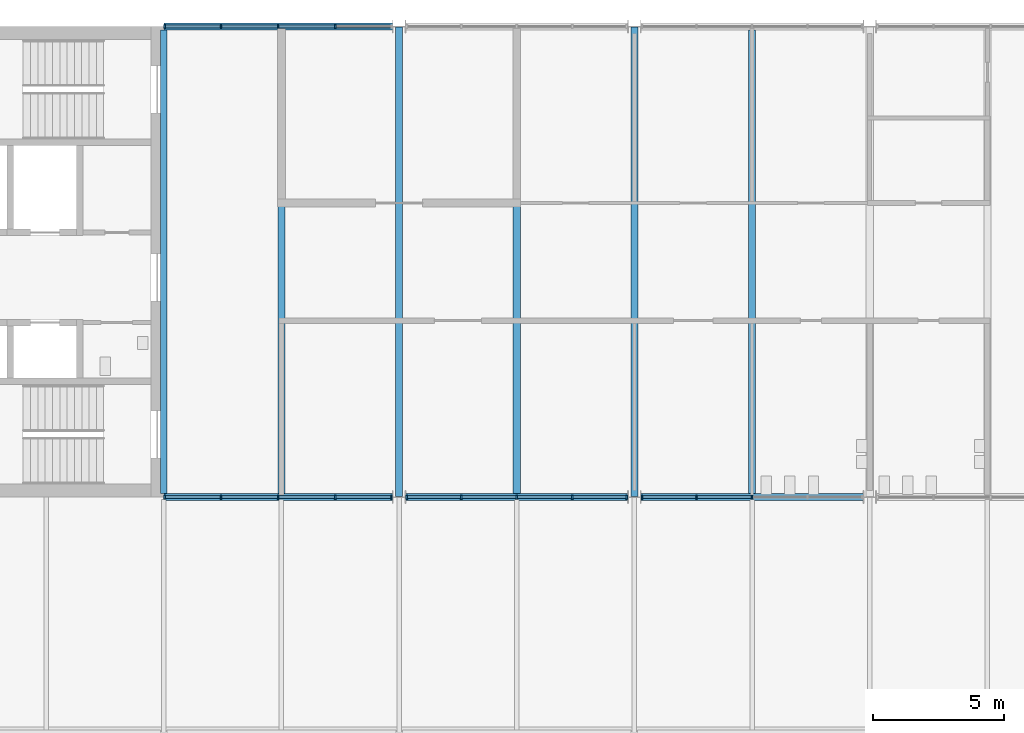
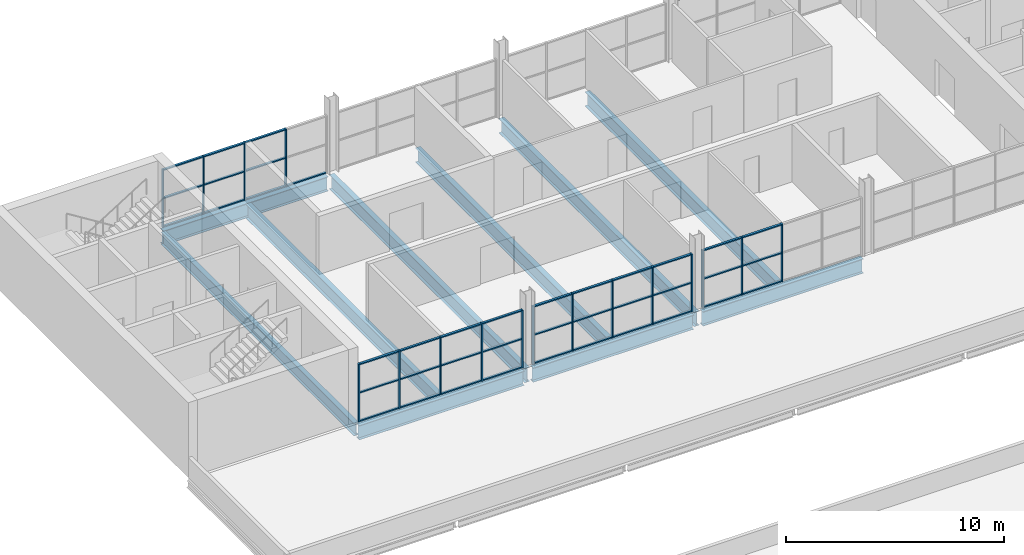
# One storey, part 15 of 50: 57 members, 10 beams, 4 elements without a shape of their own.
"""IFC4 building model written with IfcOpenShell, lengths in metres."""

from ifc_helpers import new_model, si_unit, direction, frame, origin, origin_2d, place, context, subcontext, project, spatial, rectangle, i_section, extrude, material, layer, layer_set, material_profile, profile_set, type_object, element, aggregate, save


model = new_model("IFC4")

# Units and contexts
model_context = context("Model", 3, precision=1e-05, world=origin(), true_north=direction((0.0, 1.0)))
body_context = subcontext(model_context, "Body", "Model", "MODEL_VIEW")
ifc_project = project(units=[si_unit("LENGTHUNIT", "METRE"), si_unit("AREAUNIT", "SQUARE_METRE"), si_unit("VOLUMEUNIT", "CUBIC_METRE"), si_unit("PLANEANGLEUNIT", "RADIAN"), si_unit("MASSUNIT", "GRAM", prefix="KILO")], contexts=[model_context])

# Site, building, storey
site_placement = place(None, origin())
site = spatial("IfcSite", under=ifc_project, at=site_placement, CompositionType="ELEMENT")
building_placement = place(site_placement, origin())
building = spatial("IfcBuilding", under=site, at=building_placement, Name="Corbel Yard City Hall", CompositionType="ELEMENT")
storey_placement = place(building_placement, frame((0.0, 0.0, 15.0)))
storey = spatial("IfcBuildingStorey", under=building, at=storey_placement, Name="L03", CompositionType="ELEMENT", Elevation=15.0)

# Beams
ifc_material_1 = material(Name="Steel Grade 350", Category="steel")
ifc_material_profile_1 = material_profile(ifc_material_1, i_section(OverallWidth=0.27490234375, OverallDepth=0.81005859375, WebThickness=0.010009765625, FlangeThickness=0.02490234375, at=origin_2d()), Name="800WB168")
ifc_profile_set_1 = profile_set([ifc_material_profile_1], Name="Steel Grade 350")
beam_type_1 = type_object("IfcBeamType", Name="Edge beam 800WB168", PredefinedType="BEAM", material=ifc_profile_set_1)
beam_1_placement = place(storey_placement, frame((9.0, 99.0, -0.554931640625), z_axis=(1.0, 0.0, 0.0), x_axis=(0.0, 1.0, 0.0)))
element("IfcBeam", 1, at=beam_1_placement, inside=storey, type_object=beam_type_1, Name="Edge beam 800WB168 EB3 L03tower", PredefinedType="BEAM", context=body_context, shape_type="SweptSolid", body=[
    extrude(i_section(OverallWidth=0.27490234375, OverallDepth=0.81005859375, WebThickness=0.010009765625, FlangeThickness=0.02490234375, at=origin_2d()), origin(), (0.0, 0.0, 1.0), 8.760009765625),
])
for number, where, z_axis, x_axis, name in (
    (2, (18.239990234375, 99.0, -0.554931640625), (1.0, 0.0, 0.0), (0.0, 1.0, 0.0), "Edge beam 800WB168 EB3 L03tower"),
    (3, (27.239990234375, 99.0, -0.554931640625), (1.0, 0.0, 0.0), (0.0, 1.0, 0.0), "Edge beam 800WB168 EB3 L03tower"),
):
    element("IfcBeam", number, at=place(storey_placement, frame(where, z_axis=z_axis, x_axis=x_axis)), inside=storey, type_object=beam_type_1, Name=name, PredefinedType="BEAM", context=body_context, shape_type="SweptSolid", body=[
        extrude(i_section(OverallWidth=0.27490234375, OverallDepth=0.81005859375, WebThickness=0.010009765625, FlangeThickness=0.02490234375, at=origin_2d()), origin(), (0.0, 0.0, 1.0), 8.52001953125),
    ])
beam_2_placement = place(storey_placement, frame((9.0, 117.0, -0.554931640625), z_axis=(1.0, 0.0, 0.0), x_axis=(0.0, 1.0, 0.0)))
element("IfcBeam", 4, at=beam_2_placement, inside=storey, type_object=beam_type_1, Name="Edge beam 800WB168 EB3 L03tower", PredefinedType="BEAM", context=body_context, shape_type="SweptSolid", body=[
    extrude(i_section(OverallWidth=0.27490234375, OverallDepth=0.81005859375, WebThickness=0.010009765625, FlangeThickness=0.02490234375, at=origin_2d()), origin(), (0.0, 0.0, 1.0), 8.760009765625),
])
ifc_material_profile_2 = material_profile(ifc_material_1, i_section(OverallWidth=0.27490234375, OverallDepth=0.800048828125, WebThickness=0.010009765625, FlangeThickness=0.02001953125, at=origin_2d()), Name="800WB146")
ifc_profile_set_2 = profile_set([ifc_material_profile_2], Name="Steel Grade 350")
beam_type_2 = type_object("IfcBeamType", Name="Long-span beam 800WB146", PredefinedType="BEAM", material=ifc_profile_set_2)
for number, where, z_axis, x_axis, name in (
    (5, (18.0, 99.02001953125, -0.550048828125), (0.0, 1.0, 0.0), (-1.0, 0.0, 0.0), "Long-span beam 800WB146 SB8 L03tower"),
    (6, (27.0, 99.02001953125, -0.550048828125), (0.0, 1.0, 0.0), (-1.0, 0.0, 0.0), "Long-span beam 800WB146 SB8 L03tower"),
):
    element("IfcBeam", number, at=place(storey_placement, frame(where, z_axis=z_axis, x_axis=x_axis)), inside=storey, type_object=beam_type_2, Name=name, PredefinedType="BEAM", context=body_context, shape_type="SweptSolid", body=[
        extrude(i_section(OverallWidth=0.27490234375, OverallDepth=0.800048828125, WebThickness=0.010009765625, FlangeThickness=0.02001953125, at=origin_2d()), origin(), (0.0, 0.0, 1.0), 17.9599609375),
    ])
ifc_material_profile_3 = material_profile(ifc_material_1, i_section(OverallWidth=0.25, OverallDepth=0.7099609375, WebThickness=0.010009765625, FlangeThickness=0.02490234375, at=origin_2d()), Name="700WB150")
ifc_profile_set_3 = profile_set([ifc_material_profile_3], Name="Steel Grade 350")
beam_type_3 = type_object("IfcBeamType", Name="Long-span edge beam 700WB150", PredefinedType="BEAM", material=ifc_profile_set_3)
beam_3_placement = place(storey_placement, frame((9.0, 99.137451171875, -0.5048828125), z_axis=(0.0, 1.0, 0.0), x_axis=(-1.0, 0.0, 0.0)))
element("IfcBeam", 7, at=beam_3_placement, inside=storey, type_object=beam_type_3, Name="Long-span edge beam 700WB150 EB8 L03tower", PredefinedType="BEAM", context=body_context, shape_type="SweptSolid", body=[
    extrude(i_section(OverallWidth=0.25, OverallDepth=0.7099609375, WebThickness=0.010009765625, FlangeThickness=0.02490234375, at=origin_2d()), origin(), (0.0, 0.0, 1.0), 17.72509765625),
])
ifc_material_profile_4 = material_profile(ifc_material_1, i_section(OverallWidth=0.27490234375, OverallDepth=0.800048828125, WebThickness=0.010009765625, FlangeThickness=0.02001953125, at=origin_2d()), Name="800WB146")
ifc_profile_set_4 = profile_set([ifc_material_profile_4], Name="Steel Grade 350")
beam_type_4 = type_object("IfcBeamType", Name="Long-span secondary beam 800WB146", PredefinedType="JOIST", material=ifc_profile_set_4)
for number, where, z_axis, x_axis, name in (
    (8, (13.5, 99.137451171875, -0.550048828125), (0.0, 1.0, 0.0), (-1.0, 0.0, 0.0), "Long-span secondary beam 800WB146 SB7 L03tower"),
    (9, (22.5, 99.137451171875, -0.550048828125), (0.0, 1.0, 0.0), (-1.0, 0.0, 0.0), "Long-span secondary beam 800WB146 SB7 L03tower"),
    (10, (31.5, 99.137451171875, -0.550048828125), (0.0, 1.0, 0.0), (-1.0, 0.0, 0.0), "Long-span secondary beam 800WB146 SB7 L03tower"),
):
    element("IfcBeam", number, at=place(storey_placement, frame(where, z_axis=z_axis, x_axis=x_axis)), inside=storey, type_object=beam_type_4, Name=name, PredefinedType="JOIST", context=body_context, shape_type="SweptSolid", body=[
        extrude(i_section(OverallWidth=0.27490234375, OverallDepth=0.800048828125, WebThickness=0.010009765625, FlangeThickness=0.02001953125, at=origin_2d()), origin(), (0.0, 0.0, 1.0), 17.72509765625),
    ])

# Curtain wall, members
ifc_material_2 = material(Name="Aluminium extrusion", Category="aluminium")
ifc_layer = layer(ifc_material_2, 0.14990234375)
ifc_layer_set = layer_set([ifc_layer], Name="Aluminium extrusion")
curtain_wall_type = type_object("IfcCurtainWallType", Name="CW2", PredefinedType="USERDEFINED", material=ifc_layer_set)
curtain_wall_1_placement = place(storey_placement, origin())
curtain_wall_1 = element("IfcCurtainWall", 11, at=curtain_wall_1_placement, inside=storey, type_object=curtain_wall_type, Name="Curtain wall CW2 L03", ObjectType="CURTAIN WALL", PredefinedType="USERDEFINED")
ifc_material_profile_5 = material_profile(ifc_material_2, rectangle(XDim=0.14990234375, YDim=0.06494140625, at=origin_2d()), Name="150x65")
ifc_profile_set_5 = profile_set([ifc_material_profile_5], Name="Aluminium extrusion")
member_type_1 = type_object("IfcMemberType", Name="ML2", PredefinedType="MULLION", material=ifc_profile_set_5)
member_1_placement = place(storey_placement, frame((9.032470703125, 99.0, 0.0), z_axis=(0.0, 0.0, 1.0), x_axis=(0.0, 1.0, 0.0)))
member_1 = element("IfcMember", 12, at=member_1_placement, type_object=member_type_1, Name="CW2 mullion 1", PredefinedType="MULLION", context=body_context, shape_type="SweptSolid", body=[
    extrude(rectangle(XDim=0.14990234375, YDim=0.06494140625, at=origin_2d()), origin(), (0.0, 0.0, 1.0), 3.239990234375),
])
member_2_placement = place(storey_placement, frame((11.185791015625, 99.0, 0.0), z_axis=(0.0, 0.0, 1.0), x_axis=(0.0, 1.0, 0.0)))
member_2 = element("IfcMember", 13, at=member_2_placement, type_object=member_type_1, Name="CW2 mullion 2", PredefinedType="MULLION", context=body_context, shape_type="SweptSolid", body=[
    extrude(rectangle(XDim=0.14990234375, YDim=0.06494140625, at=origin_2d()), origin(), (0.0, 0.0, 1.0), 3.239990234375),
])
member_3_placement = place(storey_placement, frame((13.37158203125, 99.0, 0.0), z_axis=(0.0, 0.0, 1.0), x_axis=(0.0, 1.0, 0.0)))
member_3 = element("IfcMember", 14, at=member_3_placement, type_object=member_type_1, Name="CW2 mullion 3", PredefinedType="MULLION", context=body_context, shape_type="SweptSolid", body=[
    extrude(rectangle(XDim=0.14990234375, YDim=0.06494140625, at=origin_2d()), origin(), (0.0, 0.0, 1.0), 3.239990234375),
])
member_4_placement = place(storey_placement, frame((15.55712890625, 99.0, 0.0), z_axis=(0.0, 0.0, 1.0), x_axis=(0.0, 1.0, 0.0)))
member_4 = element("IfcMember", 15, at=member_4_placement, type_object=member_type_1, Name="CW2 mullion 4", PredefinedType="MULLION", context=body_context, shape_type="SweptSolid", body=[
    extrude(rectangle(XDim=0.14990234375, YDim=0.06494140625, at=origin_2d()), origin(), (0.0, 0.0, 1.0), 3.239990234375),
])
member_5_placement = place(storey_placement, frame((17.71044921875, 99.0, 0.0), z_axis=(0.0, 0.0, 1.0), x_axis=(0.0, 1.0, 0.0)))
member_5 = element("IfcMember", 16, at=member_5_placement, type_object=member_type_1, Name="CW2 mullion 5", PredefinedType="MULLION", context=body_context, shape_type="SweptSolid", body=[
    extrude(rectangle(XDim=0.14990234375, YDim=0.06494140625, at=origin_2d()), origin(), (0.0, 0.0, 1.0), 3.239990234375),
])

curtain_wall_2_placement = place(storey_placement, origin())
curtain_wall_2 = element("IfcCurtainWall", 17, at=curtain_wall_2_placement, inside=storey, type_object=curtain_wall_type, Name="Curtain wall CW2 L03", ObjectType="CURTAIN WALL", PredefinedType="USERDEFINED")
member_6_placement = place(storey_placement, frame((18.28955078125, 99.0, 0.0), z_axis=(0.0, 0.0, 1.0), x_axis=(0.0, 1.0, 0.0)))
member_6 = element("IfcMember", 18, at=member_6_placement, type_object=member_type_1, Name="CW2 mullion 1", PredefinedType="MULLION", context=body_context, shape_type="SweptSolid", body=[
    extrude(rectangle(XDim=0.14990234375, YDim=0.06494140625, at=origin_2d()), origin(), (0.0, 0.0, 1.0), 3.239990234375),
])
member_7_placement = place(storey_placement, frame((20.37841796875, 99.0, 0.0), z_axis=(0.0, 0.0, 1.0), x_axis=(0.0, 1.0, 0.0)))
member_7 = element("IfcMember", 19, at=member_7_placement, type_object=member_type_1, Name="CW2 mullion 2", PredefinedType="MULLION", context=body_context, shape_type="SweptSolid", body=[
    extrude(rectangle(XDim=0.14990234375, YDim=0.06494140625, at=origin_2d()), origin(), (0.0, 0.0, 1.0), 3.239990234375),
])
member_8_placement = place(storey_placement, frame((22.5, 99.0, 0.0), z_axis=(0.0, 0.0, 1.0), x_axis=(0.0, 1.0, 0.0)))
member_8 = element("IfcMember", 20, at=member_8_placement, type_object=member_type_1, Name="CW2 mullion 3", PredefinedType="MULLION", context=body_context, shape_type="SweptSolid", body=[
    extrude(rectangle(XDim=0.14990234375, YDim=0.06494140625, at=origin_2d()), origin(), (0.0, 0.0, 1.0), 3.239990234375),
])
member_9_placement = place(storey_placement, frame((24.62158203125, 99.0, 0.0), z_axis=(0.0, 0.0, 1.0), x_axis=(0.0, 1.0, 0.0)))
member_9 = element("IfcMember", 21, at=member_9_placement, type_object=member_type_1, Name="CW2 mullion 4", PredefinedType="MULLION", context=body_context, shape_type="SweptSolid", body=[
    extrude(rectangle(XDim=0.14990234375, YDim=0.06494140625, at=origin_2d()), origin(), (0.0, 0.0, 1.0), 3.239990234375),
])
member_10_placement = place(storey_placement, frame((26.71044921875, 99.0, 0.0), z_axis=(0.0, 0.0, 1.0), x_axis=(0.0, 1.0, 0.0)))
member_10 = element("IfcMember", 22, at=member_10_placement, type_object=member_type_1, Name="CW2 mullion 5", PredefinedType="MULLION", context=body_context, shape_type="SweptSolid", body=[
    extrude(rectangle(XDim=0.14990234375, YDim=0.06494140625, at=origin_2d()), origin(), (0.0, 0.0, 1.0), 3.239990234375),
])

curtain_wall_3_placement = place(storey_placement, origin())
curtain_wall_3 = element("IfcCurtainWall", 23, at=curtain_wall_3_placement, inside=storey, type_object=curtain_wall_type, Name="Curtain wall CW2 L03", ObjectType="CURTAIN WALL", PredefinedType="USERDEFINED")
member_11_placement = place(storey_placement, frame((27.28955078125, 99.0, 0.0), z_axis=(0.0, 0.0, 1.0), x_axis=(0.0, 1.0, 0.0)))
member_11 = element("IfcMember", 24, at=member_11_placement, type_object=member_type_1, Name="CW2 mullion 1", PredefinedType="MULLION", context=body_context, shape_type="SweptSolid", body=[
    extrude(rectangle(XDim=0.14990234375, YDim=0.06494140625, at=origin_2d()), origin(), (0.0, 0.0, 1.0), 3.239990234375),
])
member_12_placement = place(storey_placement, frame((29.37841796875, 99.0, 0.0), z_axis=(0.0, 0.0, 1.0), x_axis=(0.0, 1.0, 0.0)))
member_12 = element("IfcMember", 25, at=member_12_placement, type_object=member_type_1, Name="CW2 mullion 2", PredefinedType="MULLION", context=body_context, shape_type="SweptSolid", body=[
    extrude(rectangle(XDim=0.14990234375, YDim=0.06494140625, at=origin_2d()), origin(), (0.0, 0.0, 1.0), 3.239990234375),
])
member_13_placement = place(storey_placement, frame((31.5, 99.0, 0.0), z_axis=(0.0, 0.0, 1.0), x_axis=(0.0, 1.0, 0.0)))
member_13 = element("IfcMember", 26, at=member_13_placement, type_object=member_type_1, Name="CW2 mullion 3", PredefinedType="MULLION", context=body_context, shape_type="SweptSolid", body=[
    extrude(rectangle(XDim=0.14990234375, YDim=0.06494140625, at=origin_2d()), origin(), (0.0, 0.0, 1.0), 3.239990234375),
])

curtain_wall_4_placement = place(storey_placement, origin())
curtain_wall_4 = element("IfcCurtainWall", 27, at=curtain_wall_4_placement, inside=storey, type_object=curtain_wall_type, Name="Curtain wall CW2 L03", ObjectType="CURTAIN WALL", PredefinedType="USERDEFINED")
member_14_placement = place(storey_placement, frame((9.032470703125, 117.0, 0.0), z_axis=(0.0, 0.0, 1.0), x_axis=(0.0, 1.0, 0.0)))
member_14 = element("IfcMember", 28, at=member_14_placement, type_object=member_type_1, Name="CW2 mullion 1", PredefinedType="MULLION", context=body_context, shape_type="SweptSolid", body=[
    extrude(rectangle(XDim=0.14990234375, YDim=0.06494140625, at=origin_2d()), origin(), (0.0, 0.0, 1.0), 3.239990234375),
])
member_15_placement = place(storey_placement, frame((11.185791015625, 117.0, 0.0), z_axis=(0.0, 0.0, 1.0), x_axis=(0.0, 1.0, 0.0)))
member_15 = element("IfcMember", 29, at=member_15_placement, type_object=member_type_1, Name="CW2 mullion 2", PredefinedType="MULLION", context=body_context, shape_type="SweptSolid", body=[
    extrude(rectangle(XDim=0.14990234375, YDim=0.06494140625, at=origin_2d()), origin(), (0.0, 0.0, 1.0), 3.239990234375),
])
member_16_placement = place(storey_placement, frame((13.37158203125, 117.0, 0.0), z_axis=(0.0, 0.0, 1.0), x_axis=(0.0, 1.0, 0.0)))
member_16 = element("IfcMember", 30, at=member_16_placement, type_object=member_type_1, Name="CW2 mullion 3", PredefinedType="MULLION", context=body_context, shape_type="SweptSolid", body=[
    extrude(rectangle(XDim=0.14990234375, YDim=0.06494140625, at=origin_2d()), origin(), (0.0, 0.0, 1.0), 3.239990234375),
])
member_17_placement = place(storey_placement, frame((15.55712890625, 117.0, 0.0), z_axis=(0.0, 0.0, 1.0), x_axis=(0.0, 1.0, 0.0)))
member_17 = element("IfcMember", 31, at=member_17_placement, type_object=member_type_1, Name="CW2 mullion 4", PredefinedType="MULLION", context=body_context, shape_type="SweptSolid", body=[
    extrude(rectangle(XDim=0.14990234375, YDim=0.06494140625, at=origin_2d()), origin(), (0.0, 0.0, 1.0), 3.239990234375),
])

# Member
ifc_material_profile_6 = material_profile(ifc_material_2, rectangle(XDim=0.1201171875, YDim=0.06494140625, at=origin_2d()), Name="120x65")
ifc_profile_set_6 = profile_set([ifc_material_profile_6], Name="Aluminium extrusion")
member_type_2 = type_object("IfcMemberType", Name="TR2", PredefinedType="USERDEFINED", material=ifc_profile_set_6)
member_18_placement = place(storey_placement, frame((9.06494140625, 99.0, 0.032470703125), z_axis=(1.0, 0.0, 0.0), x_axis=(0.0, 1.0, 0.0)))
member_18 = element("IfcMember", 32, at=member_18_placement, type_object=member_type_2, Name="CW2 transom 1.1", ObjectType="TRANSOM", PredefinedType="USERDEFINED", context=body_context, shape_type="SweptSolid", body=[
    extrude(rectangle(XDim=0.1201171875, YDim=0.06494140625, at=origin_2d()), origin(), (0.0, 0.0, 1.0), 2.08837890625),
])

member_19_placement = place(storey_placement, frame((9.06494140625, 99.0, 1.6201171875), z_axis=(1.0, 0.0, 0.0), x_axis=(0.0, 1.0, 0.0)))
member_19 = element("IfcMember", 33, at=member_19_placement, type_object=member_type_2, Name="CW2 transom 1.2", ObjectType="TRANSOM", PredefinedType="USERDEFINED", context=body_context, shape_type="SweptSolid", body=[
    extrude(rectangle(XDim=0.1201171875, YDim=0.06494140625, at=origin_2d()), origin(), (0.0, 0.0, 1.0), 2.08837890625),
])

member_20_placement = place(storey_placement, frame((9.06494140625, 99.0, 3.20751953125), z_axis=(1.0, 0.0, 0.0), x_axis=(0.0, 1.0, 0.0)))
member_20 = element("IfcMember", 34, at=member_20_placement, type_object=member_type_2, Name="CW2 transom 1.3", ObjectType="TRANSOM", PredefinedType="USERDEFINED", context=body_context, shape_type="SweptSolid", body=[
    extrude(rectangle(XDim=0.1201171875, YDim=0.06494140625, at=origin_2d()), origin(), (0.0, 0.0, 1.0), 2.08837890625),
])

member_21_placement = place(storey_placement, frame((11.21826171875, 99.0, 0.032470703125), z_axis=(1.0, 0.0, 0.0), x_axis=(0.0, 1.0, 0.0)))
member_21 = element("IfcMember", 35, at=member_21_placement, type_object=member_type_2, Name="CW2 transom 2.1", ObjectType="TRANSOM", PredefinedType="USERDEFINED", context=body_context, shape_type="SweptSolid", body=[
    extrude(rectangle(XDim=0.1201171875, YDim=0.06494140625, at=origin_2d()), origin(), (0.0, 0.0, 1.0), 2.120849609375),
])

member_22_placement = place(storey_placement, frame((11.21826171875, 99.0, 1.6201171875), z_axis=(1.0, 0.0, 0.0), x_axis=(0.0, 1.0, 0.0)))
member_22 = element("IfcMember", 36, at=member_22_placement, type_object=member_type_2, Name="CW2 transom 2.2", ObjectType="TRANSOM", PredefinedType="USERDEFINED", context=body_context, shape_type="SweptSolid", body=[
    extrude(rectangle(XDim=0.1201171875, YDim=0.06494140625, at=origin_2d()), origin(), (0.0, 0.0, 1.0), 2.120849609375),
])

member_23_placement = place(storey_placement, frame((11.21826171875, 99.0, 3.20751953125), z_axis=(1.0, 0.0, 0.0), x_axis=(0.0, 1.0, 0.0)))
member_23 = element("IfcMember", 37, at=member_23_placement, type_object=member_type_2, Name="CW2 transom 2.3", ObjectType="TRANSOM", PredefinedType="USERDEFINED", context=body_context, shape_type="SweptSolid", body=[
    extrude(rectangle(XDim=0.1201171875, YDim=0.06494140625, at=origin_2d()), origin(), (0.0, 0.0, 1.0), 2.120849609375),
])

member_24_placement = place(storey_placement, frame((13.404052734375, 99.0, 0.032470703125), z_axis=(1.0, 0.0, 0.0), x_axis=(0.0, 1.0, 0.0)))
member_24 = element("IfcMember", 38, at=member_24_placement, type_object=member_type_2, Name="CW2 transom 3.1", ObjectType="TRANSOM", PredefinedType="USERDEFINED", context=body_context, shape_type="SweptSolid", body=[
    extrude(rectangle(XDim=0.1201171875, YDim=0.06494140625, at=origin_2d()), origin(), (0.0, 0.0, 1.0), 2.12060546875),
])

member_25_placement = place(storey_placement, frame((13.404052734375, 99.0, 1.6201171875), z_axis=(1.0, 0.0, 0.0), x_axis=(0.0, 1.0, 0.0)))
member_25 = element("IfcMember", 39, at=member_25_placement, type_object=member_type_2, Name="CW2 transom 3.2", ObjectType="TRANSOM", PredefinedType="USERDEFINED", context=body_context, shape_type="SweptSolid", body=[
    extrude(rectangle(XDim=0.1201171875, YDim=0.06494140625, at=origin_2d()), origin(), (0.0, 0.0, 1.0), 2.12060546875),
])

member_26_placement = place(storey_placement, frame((13.404052734375, 99.0, 3.20751953125), z_axis=(1.0, 0.0, 0.0), x_axis=(0.0, 1.0, 0.0)))
member_26 = element("IfcMember", 40, at=member_26_placement, type_object=member_type_2, Name="CW2 transom 3.3", ObjectType="TRANSOM", PredefinedType="USERDEFINED", context=body_context, shape_type="SweptSolid", body=[
    extrude(rectangle(XDim=0.1201171875, YDim=0.06494140625, at=origin_2d()), origin(), (0.0, 0.0, 1.0), 2.12060546875),
])

member_27_placement = place(storey_placement, frame((15.58984375, 99.0, 0.032470703125), z_axis=(1.0, 0.0, 0.0), x_axis=(0.0, 1.0, 0.0)))
member_27 = element("IfcMember", 41, at=member_27_placement, type_object=member_type_2, Name="CW2 transom 4.1", ObjectType="TRANSOM", PredefinedType="USERDEFINED", context=body_context, shape_type="SweptSolid", body=[
    extrude(rectangle(XDim=0.1201171875, YDim=0.06494140625, at=origin_2d()), origin(), (0.0, 0.0, 1.0), 2.088134765625),
])

member_28_placement = place(storey_placement, frame((15.58984375, 99.0, 1.6201171875), z_axis=(1.0, 0.0, 0.0), x_axis=(0.0, 1.0, 0.0)))
member_28 = element("IfcMember", 42, at=member_28_placement, type_object=member_type_2, Name="CW2 transom 4.2", ObjectType="TRANSOM", PredefinedType="USERDEFINED", context=body_context, shape_type="SweptSolid", body=[
    extrude(rectangle(XDim=0.1201171875, YDim=0.06494140625, at=origin_2d()), origin(), (0.0, 0.0, 1.0), 2.088134765625),
])

member_29_placement = place(storey_placement, frame((15.58984375, 99.0, 3.20751953125), z_axis=(1.0, 0.0, 0.0), x_axis=(0.0, 1.0, 0.0)))
member_29 = element("IfcMember", 43, at=member_29_placement, type_object=member_type_2, Name="CW2 transom 4.3", ObjectType="TRANSOM", PredefinedType="USERDEFINED", context=body_context, shape_type="SweptSolid", body=[
    extrude(rectangle(XDim=0.1201171875, YDim=0.06494140625, at=origin_2d()), origin(), (0.0, 0.0, 1.0), 2.088134765625),
])

aggregate(curtain_wall_1, [member_1, member_2, member_3, member_4, member_5, member_18, member_19, member_20, member_21, member_22, member_23, member_24, member_25, member_26, member_27, member_28, member_29])

member_30_placement = place(storey_placement, frame((18.322021484375, 99.0, 0.032470703125), z_axis=(1.0, 0.0, 0.0), x_axis=(0.0, 1.0, 0.0)))
member_30 = element("IfcMember", 44, at=member_30_placement, type_object=member_type_2, Name="CW2 transom 1.1", ObjectType="TRANSOM", PredefinedType="USERDEFINED", context=body_context, shape_type="SweptSolid", body=[
    extrude(rectangle(XDim=0.1201171875, YDim=0.06494140625, at=origin_2d()), origin(), (0.0, 0.0, 1.0), 2.02392578125),
])

member_31_placement = place(storey_placement, frame((18.322021484375, 99.0, 1.6201171875), z_axis=(1.0, 0.0, 0.0), x_axis=(0.0, 1.0, 0.0)))
member_31 = element("IfcMember", 45, at=member_31_placement, type_object=member_type_2, Name="CW2 transom 1.2", ObjectType="TRANSOM", PredefinedType="USERDEFINED", context=body_context, shape_type="SweptSolid", body=[
    extrude(rectangle(XDim=0.1201171875, YDim=0.06494140625, at=origin_2d()), origin(), (0.0, 0.0, 1.0), 2.02392578125),
])

member_32_placement = place(storey_placement, frame((18.322021484375, 99.0, 3.20751953125), z_axis=(1.0, 0.0, 0.0), x_axis=(0.0, 1.0, 0.0)))
member_32 = element("IfcMember", 46, at=member_32_placement, type_object=member_type_2, Name="CW2 transom 1.3", ObjectType="TRANSOM", PredefinedType="USERDEFINED", context=body_context, shape_type="SweptSolid", body=[
    extrude(rectangle(XDim=0.1201171875, YDim=0.06494140625, at=origin_2d()), origin(), (0.0, 0.0, 1.0), 2.02392578125),
])

member_33_placement = place(storey_placement, frame((20.410888671875, 99.0, 0.032470703125), z_axis=(1.0, 0.0, 0.0), x_axis=(0.0, 1.0, 0.0)))
member_33 = element("IfcMember", 47, at=member_33_placement, type_object=member_type_2, Name="CW2 transom 2.1", ObjectType="TRANSOM", PredefinedType="USERDEFINED", context=body_context, shape_type="SweptSolid", body=[
    extrude(rectangle(XDim=0.1201171875, YDim=0.06494140625, at=origin_2d()), origin(), (0.0, 0.0, 1.0), 2.056640625),
])

member_34_placement = place(storey_placement, frame((20.410888671875, 99.0, 1.6201171875), z_axis=(1.0, 0.0, 0.0), x_axis=(0.0, 1.0, 0.0)))
member_34 = element("IfcMember", 48, at=member_34_placement, type_object=member_type_2, Name="CW2 transom 2.2", ObjectType="TRANSOM", PredefinedType="USERDEFINED", context=body_context, shape_type="SweptSolid", body=[
    extrude(rectangle(XDim=0.1201171875, YDim=0.06494140625, at=origin_2d()), origin(), (0.0, 0.0, 1.0), 2.056640625),
])

member_35_placement = place(storey_placement, frame((20.410888671875, 99.0, 3.20751953125), z_axis=(1.0, 0.0, 0.0), x_axis=(0.0, 1.0, 0.0)))
member_35 = element("IfcMember", 49, at=member_35_placement, type_object=member_type_2, Name="CW2 transom 2.3", ObjectType="TRANSOM", PredefinedType="USERDEFINED", context=body_context, shape_type="SweptSolid", body=[
    extrude(rectangle(XDim=0.1201171875, YDim=0.06494140625, at=origin_2d()), origin(), (0.0, 0.0, 1.0), 2.056640625),
])

member_36_placement = place(storey_placement, frame((22.532470703125, 99.0, 0.032470703125), z_axis=(1.0, 0.0, 0.0), x_axis=(0.0, 1.0, 0.0)))
member_36 = element("IfcMember", 50, at=member_36_placement, type_object=member_type_2, Name="CW2 transom 3.1", ObjectType="TRANSOM", PredefinedType="USERDEFINED", context=body_context, shape_type="SweptSolid", body=[
    extrude(rectangle(XDim=0.1201171875, YDim=0.06494140625, at=origin_2d()), origin(), (0.0, 0.0, 1.0), 2.056640625),
])

member_37_placement = place(storey_placement, frame((22.532470703125, 99.0, 1.6201171875), z_axis=(1.0, 0.0, 0.0), x_axis=(0.0, 1.0, 0.0)))
member_37 = element("IfcMember", 51, at=member_37_placement, type_object=member_type_2, Name="CW2 transom 3.2", ObjectType="TRANSOM", PredefinedType="USERDEFINED", context=body_context, shape_type="SweptSolid", body=[
    extrude(rectangle(XDim=0.1201171875, YDim=0.06494140625, at=origin_2d()), origin(), (0.0, 0.0, 1.0), 2.056640625),
])

member_38_placement = place(storey_placement, frame((22.532470703125, 99.0, 3.20751953125), z_axis=(1.0, 0.0, 0.0), x_axis=(0.0, 1.0, 0.0)))
member_38 = element("IfcMember", 52, at=member_38_placement, type_object=member_type_2, Name="CW2 transom 3.3", ObjectType="TRANSOM", PredefinedType="USERDEFINED", context=body_context, shape_type="SweptSolid", body=[
    extrude(rectangle(XDim=0.1201171875, YDim=0.06494140625, at=origin_2d()), origin(), (0.0, 0.0, 1.0), 2.056640625),
])

member_39_placement = place(storey_placement, frame((24.654052734375, 99.0, 0.032470703125), z_axis=(1.0, 0.0, 0.0), x_axis=(0.0, 1.0, 0.0)))
member_39 = element("IfcMember", 53, at=member_39_placement, type_object=member_type_2, Name="CW2 transom 4.1", ObjectType="TRANSOM", PredefinedType="USERDEFINED", context=body_context, shape_type="SweptSolid", body=[
    extrude(rectangle(XDim=0.1201171875, YDim=0.06494140625, at=origin_2d()), origin(), (0.0, 0.0, 1.0), 2.02392578125),
])

member_40_placement = place(storey_placement, frame((24.654052734375, 99.0, 1.6201171875), z_axis=(1.0, 0.0, 0.0), x_axis=(0.0, 1.0, 0.0)))
member_40 = element("IfcMember", 54, at=member_40_placement, type_object=member_type_2, Name="CW2 transom 4.2", ObjectType="TRANSOM", PredefinedType="USERDEFINED", context=body_context, shape_type="SweptSolid", body=[
    extrude(rectangle(XDim=0.1201171875, YDim=0.06494140625, at=origin_2d()), origin(), (0.0, 0.0, 1.0), 2.02392578125),
])

member_41_placement = place(storey_placement, frame((24.654052734375, 99.0, 3.20751953125), z_axis=(1.0, 0.0, 0.0), x_axis=(0.0, 1.0, 0.0)))
member_41 = element("IfcMember", 55, at=member_41_placement, type_object=member_type_2, Name="CW2 transom 4.3", ObjectType="TRANSOM", PredefinedType="USERDEFINED", context=body_context, shape_type="SweptSolid", body=[
    extrude(rectangle(XDim=0.1201171875, YDim=0.06494140625, at=origin_2d()), origin(), (0.0, 0.0, 1.0), 2.02392578125),
])

aggregate(curtain_wall_2, [member_6, member_7, member_8, member_9, member_10, member_30, member_31, member_32, member_33, member_34, member_35, member_36, member_37, member_38, member_39, member_40, member_41])

member_42_placement = place(storey_placement, frame((27.322021484375, 99.0, 0.032470703125), z_axis=(1.0, 0.0, 0.0), x_axis=(0.0, 1.0, 0.0)))
member_42 = element("IfcMember", 56, at=member_42_placement, type_object=member_type_2, Name="CW2 transom 1.1", ObjectType="TRANSOM", PredefinedType="USERDEFINED", context=body_context, shape_type="SweptSolid", body=[
    extrude(rectangle(XDim=0.1201171875, YDim=0.06494140625, at=origin_2d()), origin(), (0.0, 0.0, 1.0), 2.02392578125),
])

member_43_placement = place(storey_placement, frame((27.322021484375, 99.0, 1.6201171875), z_axis=(1.0, 0.0, 0.0), x_axis=(0.0, 1.0, 0.0)))
member_43 = element("IfcMember", 57, at=member_43_placement, type_object=member_type_2, Name="CW2 transom 1.2", ObjectType="TRANSOM", PredefinedType="USERDEFINED", context=body_context, shape_type="SweptSolid", body=[
    extrude(rectangle(XDim=0.1201171875, YDim=0.06494140625, at=origin_2d()), origin(), (0.0, 0.0, 1.0), 2.02392578125),
])

member_44_placement = place(storey_placement, frame((27.322021484375, 99.0, 3.20751953125), z_axis=(1.0, 0.0, 0.0), x_axis=(0.0, 1.0, 0.0)))
member_44 = element("IfcMember", 58, at=member_44_placement, type_object=member_type_2, Name="CW2 transom 1.3", ObjectType="TRANSOM", PredefinedType="USERDEFINED", context=body_context, shape_type="SweptSolid", body=[
    extrude(rectangle(XDim=0.1201171875, YDim=0.06494140625, at=origin_2d()), origin(), (0.0, 0.0, 1.0), 2.02392578125),
])

member_45_placement = place(storey_placement, frame((29.410888671875, 99.0, 0.032470703125), z_axis=(1.0, 0.0, 0.0), x_axis=(0.0, 1.0, 0.0)))
member_45 = element("IfcMember", 59, at=member_45_placement, type_object=member_type_2, Name="CW2 transom 2.1", ObjectType="TRANSOM", PredefinedType="USERDEFINED", context=body_context, shape_type="SweptSolid", body=[
    extrude(rectangle(XDim=0.1201171875, YDim=0.06494140625, at=origin_2d()), origin(), (0.0, 0.0, 1.0), 2.056640625),
])

member_46_placement = place(storey_placement, frame((29.410888671875, 99.0, 1.6201171875), z_axis=(1.0, 0.0, 0.0), x_axis=(0.0, 1.0, 0.0)))
member_46 = element("IfcMember", 60, at=member_46_placement, type_object=member_type_2, Name="CW2 transom 2.2", ObjectType="TRANSOM", PredefinedType="USERDEFINED", context=body_context, shape_type="SweptSolid", body=[
    extrude(rectangle(XDim=0.1201171875, YDim=0.06494140625, at=origin_2d()), origin(), (0.0, 0.0, 1.0), 2.056640625),
])

member_47_placement = place(storey_placement, frame((29.410888671875, 99.0, 3.20751953125), z_axis=(1.0, 0.0, 0.0), x_axis=(0.0, 1.0, 0.0)))
member_47 = element("IfcMember", 61, at=member_47_placement, type_object=member_type_2, Name="CW2 transom 2.3", ObjectType="TRANSOM", PredefinedType="USERDEFINED", context=body_context, shape_type="SweptSolid", body=[
    extrude(rectangle(XDim=0.1201171875, YDim=0.06494140625, at=origin_2d()), origin(), (0.0, 0.0, 1.0), 2.056640625),
])

aggregate(curtain_wall_3, [member_11, member_12, member_13, member_42, member_43, member_44, member_45, member_46, member_47])

member_48_placement = place(storey_placement, frame((9.06494140625, 117.0, 0.032470703125), z_axis=(1.0, 0.0, 0.0), x_axis=(0.0, 1.0, 0.0)))
member_48 = element("IfcMember", 62, at=member_48_placement, type_object=member_type_2, Name="CW2 transom 1.1", ObjectType="TRANSOM", PredefinedType="USERDEFINED", context=body_context, shape_type="SweptSolid", body=[
    extrude(rectangle(XDim=0.1201171875, YDim=0.06494140625, at=origin_2d()), origin(), (0.0, 0.0, 1.0), 2.08837890625),
])

member_49_placement = place(storey_placement, frame((9.06494140625, 117.0, 1.6201171875), z_axis=(1.0, 0.0, 0.0), x_axis=(0.0, 1.0, 0.0)))
member_49 = element("IfcMember", 63, at=member_49_placement, type_object=member_type_2, Name="CW2 transom 1.2", ObjectType="TRANSOM", PredefinedType="USERDEFINED", context=body_context, shape_type="SweptSolid", body=[
    extrude(rectangle(XDim=0.1201171875, YDim=0.06494140625, at=origin_2d()), origin(), (0.0, 0.0, 1.0), 2.08837890625),
])

member_50_placement = place(storey_placement, frame((9.06494140625, 117.0, 3.20751953125), z_axis=(1.0, 0.0, 0.0), x_axis=(0.0, 1.0, 0.0)))
member_50 = element("IfcMember", 64, at=member_50_placement, type_object=member_type_2, Name="CW2 transom 1.3", ObjectType="TRANSOM", PredefinedType="USERDEFINED", context=body_context, shape_type="SweptSolid", body=[
    extrude(rectangle(XDim=0.1201171875, YDim=0.06494140625, at=origin_2d()), origin(), (0.0, 0.0, 1.0), 2.08837890625),
])

member_51_placement = place(storey_placement, frame((11.21826171875, 117.0, 0.032470703125), z_axis=(1.0, 0.0, 0.0), x_axis=(0.0, 1.0, 0.0)))
member_51 = element("IfcMember", 65, at=member_51_placement, type_object=member_type_2, Name="CW2 transom 2.1", ObjectType="TRANSOM", PredefinedType="USERDEFINED", context=body_context, shape_type="SweptSolid", body=[
    extrude(rectangle(XDim=0.1201171875, YDim=0.06494140625, at=origin_2d()), origin(), (0.0, 0.0, 1.0), 2.120849609375),
])

member_52_placement = place(storey_placement, frame((11.21826171875, 117.0, 1.6201171875), z_axis=(1.0, 0.0, 0.0), x_axis=(0.0, 1.0, 0.0)))
member_52 = element("IfcMember", 66, at=member_52_placement, type_object=member_type_2, Name="CW2 transom 2.2", ObjectType="TRANSOM", PredefinedType="USERDEFINED", context=body_context, shape_type="SweptSolid", body=[
    extrude(rectangle(XDim=0.1201171875, YDim=0.06494140625, at=origin_2d()), origin(), (0.0, 0.0, 1.0), 2.120849609375),
])

member_53_placement = place(storey_placement, frame((11.21826171875, 117.0, 3.20751953125), z_axis=(1.0, 0.0, 0.0), x_axis=(0.0, 1.0, 0.0)))
member_53 = element("IfcMember", 67, at=member_53_placement, type_object=member_type_2, Name="CW2 transom 2.3", ObjectType="TRANSOM", PredefinedType="USERDEFINED", context=body_context, shape_type="SweptSolid", body=[
    extrude(rectangle(XDim=0.1201171875, YDim=0.06494140625, at=origin_2d()), origin(), (0.0, 0.0, 1.0), 2.120849609375),
])

member_54_placement = place(storey_placement, frame((13.404052734375, 117.0, 0.032470703125), z_axis=(1.0, 0.0, 0.0), x_axis=(0.0, 1.0, 0.0)))
member_54 = element("IfcMember", 68, at=member_54_placement, type_object=member_type_2, Name="CW2 transom 3.1", ObjectType="TRANSOM", PredefinedType="USERDEFINED", context=body_context, shape_type="SweptSolid", body=[
    extrude(rectangle(XDim=0.1201171875, YDim=0.06494140625, at=origin_2d()), origin(), (0.0, 0.0, 1.0), 2.12060546875),
])

member_55_placement = place(storey_placement, frame((13.404052734375, 117.0, 1.6201171875), z_axis=(1.0, 0.0, 0.0), x_axis=(0.0, 1.0, 0.0)))
member_55 = element("IfcMember", 69, at=member_55_placement, type_object=member_type_2, Name="CW2 transom 3.2", ObjectType="TRANSOM", PredefinedType="USERDEFINED", context=body_context, shape_type="SweptSolid", body=[
    extrude(rectangle(XDim=0.1201171875, YDim=0.06494140625, at=origin_2d()), origin(), (0.0, 0.0, 1.0), 2.12060546875),
])

member_56_placement = place(storey_placement, frame((13.404052734375, 117.0, 3.20751953125), z_axis=(1.0, 0.0, 0.0), x_axis=(0.0, 1.0, 0.0)))
member_56 = element("IfcMember", 70, at=member_56_placement, type_object=member_type_2, Name="CW2 transom 3.3", ObjectType="TRANSOM", PredefinedType="USERDEFINED", context=body_context, shape_type="SweptSolid", body=[
    extrude(rectangle(XDim=0.1201171875, YDim=0.06494140625, at=origin_2d()), origin(), (0.0, 0.0, 1.0), 2.12060546875),
])

member_57_placement = place(storey_placement, frame((15.58984375, 117.0, 0.032470703125), z_axis=(1.0, 0.0, 0.0), x_axis=(0.0, 1.0, 0.0)))
member_57 = element("IfcMember", 71, at=member_57_placement, type_object=member_type_2, Name="CW2 transom 4.1", ObjectType="TRANSOM", PredefinedType="USERDEFINED", context=body_context, shape_type="SweptSolid", body=[
    extrude(rectangle(XDim=0.1201171875, YDim=0.06494140625, at=origin_2d()), origin(), (0.0, 0.0, 1.0), 2.088134765625),
])

aggregate(curtain_wall_4, [member_14, member_15, member_16, member_17, member_48, member_49, member_50, member_51, member_52, member_53, member_54, member_55, member_56, member_57])

save(model, "model.ifc")
